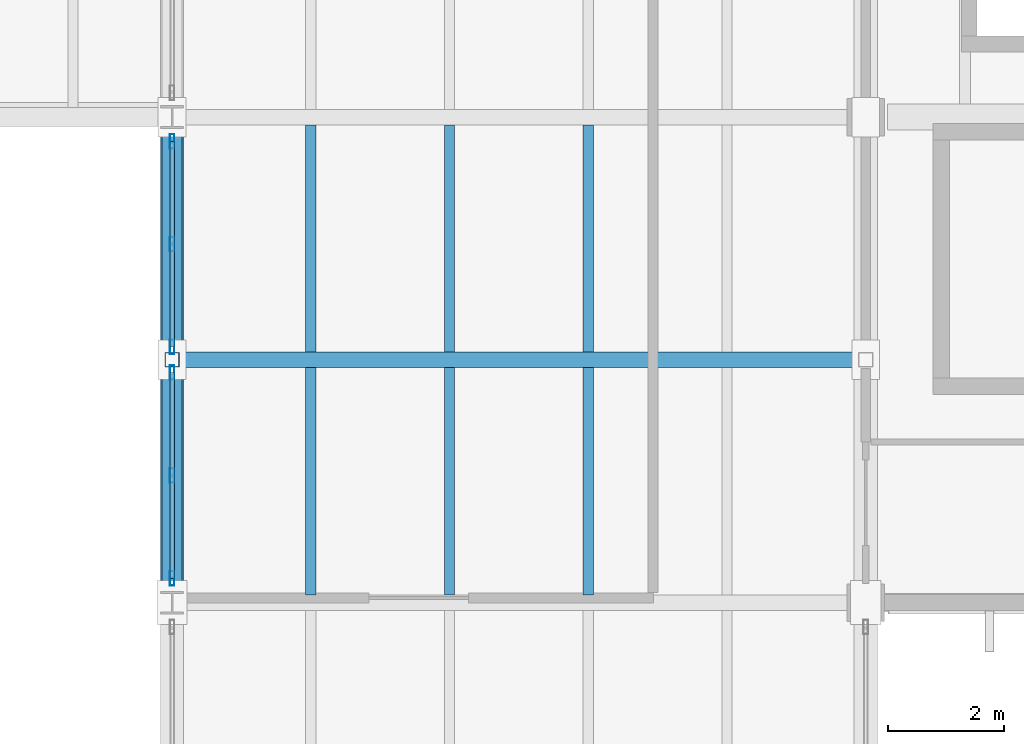
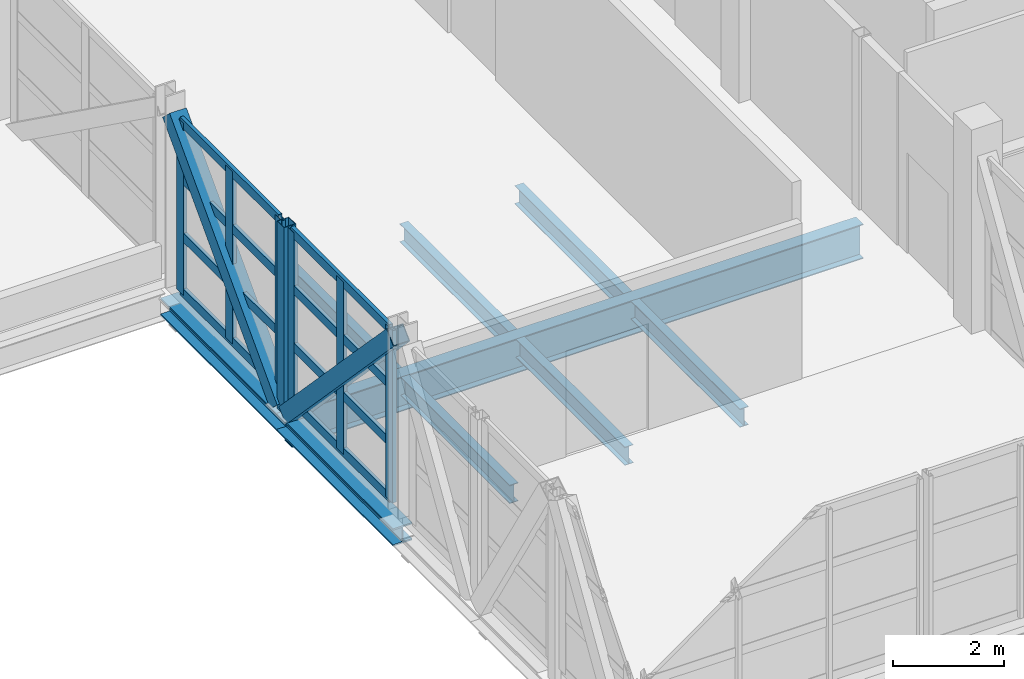
# One storey, part 9 of 63: 17 members, 9 beams, 2 elements without a shape of their own.
"""IFC4 building model written with IfcOpenShell, lengths in metres."""

from ifc_helpers import new_model, si_unit, direction, frame, origin, origin_2d, place, context, subcontext, project, spatial, hollow_rectangle, i_section, extrude, material, material_profile, profile_set, type_object, element, aggregate, save


model = new_model("IFC4")

# Units and contexts
model_context = context("Model", 3, precision=1e-05, world=origin(), true_north=direction((0.0, 1.0)))
body_context = subcontext(model_context, "Body", "Model", "MODEL_VIEW")
ifc_project = project(units=[si_unit("LENGTHUNIT", "METRE"), si_unit("AREAUNIT", "SQUARE_METRE"), si_unit("VOLUMEUNIT", "CUBIC_METRE"), si_unit("PLANEANGLEUNIT", "RADIAN"), si_unit("MASSUNIT", "GRAM", prefix="KILO")], contexts=[model_context])

# Site, building, storey
site_placement = place(None, origin())
site = spatial("IfcSite", under=ifc_project, at=site_placement, CompositionType="ELEMENT")
building_placement = place(site_placement, origin())
building = spatial("IfcBuilding", under=site, at=building_placement, Name="Kelmvaro Bay Concert Hall", CompositionType="ELEMENT")
storey_placement = place(building_placement, frame((0.0, 0.0, 13.800048828125)))
storey = spatial("IfcBuildingStorey", under=building, at=storey_placement, Name="L03", CompositionType="ELEMENT", Elevation=13.800048828125)

# Beams
ifc_material_1 = material(Name="Steel ASTM A992 Grade 50", Category="steel")
ifc_material_profile_1 = material_profile(ifc_material_1, i_section(OverallWidth=0.177978515625, OverallDepth=0.406005859375, WebThickness=0.0078125, FlangeThickness=0.0126953125, at=origin_2d()), Name="W16X40")
ifc_profile_set_1 = profile_set([ifc_material_profile_1], Name="Steel ASTM A992 Grade 50")
beam_type_1 = type_object("IfcBeamType", Name="Bridge Deck Floor Joist W16x40", PredefinedType="JOIST", material=ifc_profile_set_1)
for number, where, z_axis, x_axis, name in (
    (1, (122.39990234375, 15.7333984375, -0.532958984375), (0.0, 1.0, 0.0), (-1.0, 0.0, 0.0), "Bridge Deck Joist L03-04"),
    (2, (124.800048828125, 15.7333984375, -0.532958984375), (0.0, 1.0, 0.0), (-1.0, 0.0, 0.0), "Bridge Deck Joist L03-04"),
    (3, (127.199951171875, 15.7333984375, -0.532958984375), (0.0, 1.0, 0.0), (-1.0, 0.0, 0.0), "Bridge Deck Joist L03-04"),
):
    element("IfcBeam", number, at=place(storey_placement, frame(where, z_axis=z_axis, x_axis=x_axis)), inside=storey, type_object=beam_type_1, Name=name, PredefinedType="JOIST", context=body_context, shape_type="SweptSolid", body=[
        extrude(i_section(OverallWidth=0.177978515625, OverallDepth=0.406005859375, WebThickness=0.0078125, FlangeThickness=0.0126953125, at=origin_2d()), origin(), (0.0, 0.0, 1.0), 3.93310546875),
    ])
for number, where, z_axis, x_axis, name in (
    (4, (122.39990234375, 19.93359375, -0.532958984375), (0.0, 1.0, 0.0), (-1.0, 0.0, 0.0), "Bridge Deck Joist L03-05"),
    (5, (124.800048828125, 19.93359375, -0.532958984375), (0.0, 1.0, 0.0), (-1.0, 0.0, 0.0), "Bridge Deck Joist L03-05"),
    (6, (127.199951171875, 19.93359375, -0.532958984375), (0.0, 1.0, 0.0), (-1.0, 0.0, 0.0), "Bridge Deck Joist L03-05"),
):
    element("IfcBeam", number, at=place(storey_placement, frame(where, z_axis=z_axis, x_axis=x_axis)), inside=storey, type_object=beam_type_1, Name=name, PredefinedType="JOIST", context=body_context, shape_type="SweptSolid", body=[
        extrude(i_section(OverallWidth=0.177978515625, OverallDepth=0.406005859375, WebThickness=0.0078125, FlangeThickness=0.0126953125, at=origin_2d()), origin(), (0.0, 0.0, 1.0), 3.932861328125),
    ])

# Curtain wall, members
ifc_material_2 = material(Name="Anodised Aluminium and Low-E Insulated Glazing", Category="aluminium")
curtain_wall_type = type_object("IfcCurtainWallType", Name="Rehearsal Bridge Truss Curtain Wall 4020", PredefinedType="USERDEFINED", material=ifc_material_2)
curtain_wall_1_placement = place(storey_placement, origin())
curtain_wall_1 = element("IfcCurtainWall", 7, at=curtain_wall_1_placement, inside=storey, type_object=curtain_wall_type, Name="Unitised Curtain Wall CW-BRG-W04", ObjectType="UNITISED GLAZING", PredefinedType="USERDEFINED")
ifc_material_3 = material(Name="Anodised Extruded Aluminium 6063-T6", Category="aluminium")
ifc_material_profile_2 = material_profile(ifc_material_3, hollow_rectangle(XDim=0.080078125, YDim=0.25, WallThickness=0.005615234375, at=origin_2d()), Name="ALU-MUL-250X80")
ifc_profile_set_2 = profile_set([ifc_material_profile_2], Name="Anodised Extruded Aluminium 6063-T6")
member_type_1 = type_object("IfcMemberType", Name="Bridge Hurricane Mullion ALU 250x80", PredefinedType="MULLION", material=ifc_profile_set_2)
member_1_placement = place(storey_placement, frame((120.0, 16.02001953125, 0.0), z_axis=(0.0, 0.0, 1.0), x_axis=(1.0, 0.0, 0.0)))
member_1 = element("IfcMember", 8, at=member_1_placement, type_object=member_type_1, Name="CW-BRG-W04 Mullion 01", PredefinedType="MULLION", context=body_context, shape_type="SweptSolid", body=[
    extrude(hollow_rectangle(XDim=0.080078125, YDim=0.25, WallThickness=0.005615234375, at=origin_2d()), origin(), (0.0, 0.0, 1.0), 3.800048828125),
])
member_2_placement = place(storey_placement, frame((120.0, 17.800048828125, 0.0), z_axis=(0.0, 0.0, 1.0), x_axis=(1.0, 0.0, 0.0)))
member_2 = element("IfcMember", 9, at=member_2_placement, type_object=member_type_1, Name="CW-BRG-W04 Mullion 02", PredefinedType="MULLION", context=body_context, shape_type="SweptSolid", body=[
    extrude(hollow_rectangle(XDim=0.080078125, YDim=0.25, WallThickness=0.005615234375, at=origin_2d()), origin(), (0.0, 0.0, 1.0), 3.800048828125),
])
member_3_placement = place(storey_placement, frame((120.0, 19.580078125, 0.0), z_axis=(0.0, 0.0, 1.0), x_axis=(1.0, 0.0, 0.0)))
member_3 = element("IfcMember", 10, at=member_3_placement, type_object=member_type_1, Name="CW-BRG-W04 Mullion 03", PredefinedType="MULLION", context=body_context, shape_type="SweptSolid", body=[
    extrude(hollow_rectangle(XDim=0.080078125, YDim=0.25, WallThickness=0.005615234375, at=origin_2d()), origin(), (0.0, 0.0, 1.0), 3.800048828125),
])

curtain_wall_2_placement = place(storey_placement, origin())
curtain_wall_2 = element("IfcCurtainWall", 11, at=curtain_wall_2_placement, inside=storey, type_object=curtain_wall_type, Name="Unitised Curtain Wall CW-BRG-W05", ObjectType="UNITISED GLAZING", PredefinedType="USERDEFINED")
member_4_placement = place(storey_placement, frame((120.0, 20.02001953125, 0.0), z_axis=(0.0, 0.0, 1.0), x_axis=(1.0, 0.0, 0.0)))
member_4 = element("IfcMember", 12, at=member_4_placement, type_object=member_type_1, Name="CW-BRG-W05 Mullion 01", PredefinedType="MULLION", context=body_context, shape_type="SweptSolid", body=[
    extrude(hollow_rectangle(XDim=0.080078125, YDim=0.25, WallThickness=0.005615234375, at=origin_2d()), origin(), (0.0, 0.0, 1.0), 3.800048828125),
])
member_5_placement = place(storey_placement, frame((120.0, 21.800048828125, 0.0), z_axis=(0.0, 0.0, 1.0), x_axis=(1.0, 0.0, 0.0)))
member_5 = element("IfcMember", 13, at=member_5_placement, type_object=member_type_1, Name="CW-BRG-W05 Mullion 02", PredefinedType="MULLION", context=body_context, shape_type="SweptSolid", body=[
    extrude(hollow_rectangle(XDim=0.080078125, YDim=0.25, WallThickness=0.005615234375, at=origin_2d()), origin(), (0.0, 0.0, 1.0), 3.800048828125),
])
member_6_placement = place(storey_placement, frame((120.0, 23.580078125, 0.0), z_axis=(0.0, 0.0, 1.0), x_axis=(1.0, 0.0, 0.0)))
member_6 = element("IfcMember", 14, at=member_6_placement, type_object=member_type_1, Name="CW-BRG-W05 Mullion 03", PredefinedType="MULLION", context=body_context, shape_type="SweptSolid", body=[
    extrude(hollow_rectangle(XDim=0.080078125, YDim=0.25, WallThickness=0.005615234375, at=origin_2d()), origin(), (0.0, 0.0, 1.0), 3.800048828125),
])

# Member
ifc_material_4 = material(Name="Anodised Extruded Aluminium 6063-T6", Category="aluminium")
ifc_material_profile_3 = material_profile(ifc_material_4, hollow_rectangle(XDim=0.074951171875, YDim=0.199951171875, WallThickness=0.0048828125, at=origin_2d()), Name="ALU-TRN-200X75")
ifc_profile_set_3 = profile_set([ifc_material_profile_3], Name="Anodised Extruded Aluminium 6063-T6")
member_type_2 = type_object("IfcMemberType", Name="Bridge Hurricane Transom ALU 200x75", PredefinedType="USERDEFINED", material=ifc_profile_set_3)
member_7_placement = place(storey_placement, frame((120.0, 16.02001953125, 0.0400390625), z_axis=(0.0, 1.0, 0.0), x_axis=(-1.0, 0.0, 0.0)))
member_7 = element("IfcMember", 15, at=member_7_placement, type_object=member_type_2, Name="CW-BRG-W04 Transom 01", ObjectType="TRANSOM", PredefinedType="USERDEFINED", context=body_context, shape_type="SweptSolid", body=[
    extrude(hollow_rectangle(XDim=0.074951171875, YDim=0.199951171875, WallThickness=0.0048828125, at=origin_2d()), origin(), (0.0, 0.0, 1.0), 3.56005859375),
])

member_8_placement = place(storey_placement, frame((120.0, 16.02001953125, 1.2666015625), z_axis=(0.0, 1.0, 0.0), x_axis=(-1.0, 0.0, 0.0)))
member_8 = element("IfcMember", 16, at=member_8_placement, type_object=member_type_2, Name="CW-BRG-W04 Transom 02", ObjectType="TRANSOM", PredefinedType="USERDEFINED", context=body_context, shape_type="SweptSolid", body=[
    extrude(hollow_rectangle(XDim=0.074951171875, YDim=0.199951171875, WallThickness=0.0048828125, at=origin_2d()), origin(), (0.0, 0.0, 1.0), 3.56005859375),
])

member_9_placement = place(storey_placement, frame((120.0, 16.02001953125, 2.533203125), z_axis=(0.0, 1.0, 0.0), x_axis=(-1.0, 0.0, 0.0)))
member_9 = element("IfcMember", 17, at=member_9_placement, type_object=member_type_2, Name="CW-BRG-W04 Transom 03", ObjectType="TRANSOM", PredefinedType="USERDEFINED", context=body_context, shape_type="SweptSolid", body=[
    extrude(hollow_rectangle(XDim=0.074951171875, YDim=0.199951171875, WallThickness=0.0048828125, at=origin_2d()), origin(), (0.0, 0.0, 1.0), 3.56005859375),
])

member_10_placement = place(storey_placement, frame((120.0, 16.02001953125, 3.760009765625), z_axis=(0.0, 1.0, 0.0), x_axis=(-1.0, 0.0, 0.0)))
member_10 = element("IfcMember", 18, at=member_10_placement, type_object=member_type_2, Name="CW-BRG-W04 Transom 04", ObjectType="TRANSOM", PredefinedType="USERDEFINED", context=body_context, shape_type="SweptSolid", body=[
    extrude(hollow_rectangle(XDim=0.074951171875, YDim=0.199951171875, WallThickness=0.0048828125, at=origin_2d()), origin(), (0.0, 0.0, 1.0), 3.56005859375),
])

aggregate(curtain_wall_1, [member_1, member_2, member_3, member_7, member_8, member_9, member_10])

member_11_placement = place(storey_placement, frame((120.0, 20.02001953125, 0.0400390625), z_axis=(0.0, 1.0, 0.0), x_axis=(-1.0, 0.0, 0.0)))
member_11 = element("IfcMember", 19, at=member_11_placement, type_object=member_type_2, Name="CW-BRG-W05 Transom 01", ObjectType="TRANSOM", PredefinedType="USERDEFINED", context=body_context, shape_type="SweptSolid", body=[
    extrude(hollow_rectangle(XDim=0.074951171875, YDim=0.199951171875, WallThickness=0.0048828125, at=origin_2d()), origin(), (0.0, 0.0, 1.0), 3.56005859375),
])

member_12_placement = place(storey_placement, frame((120.0, 20.02001953125, 1.2666015625), z_axis=(0.0, 1.0, 0.0), x_axis=(-1.0, 0.0, 0.0)))
member_12 = element("IfcMember", 20, at=member_12_placement, type_object=member_type_2, Name="CW-BRG-W05 Transom 02", ObjectType="TRANSOM", PredefinedType="USERDEFINED", context=body_context, shape_type="SweptSolid", body=[
    extrude(hollow_rectangle(XDim=0.074951171875, YDim=0.199951171875, WallThickness=0.0048828125, at=origin_2d()), origin(), (0.0, 0.0, 1.0), 3.56005859375),
])

member_13_placement = place(storey_placement, frame((120.0, 20.02001953125, 2.533203125), z_axis=(0.0, 1.0, 0.0), x_axis=(-1.0, 0.0, 0.0)))
member_13 = element("IfcMember", 21, at=member_13_placement, type_object=member_type_2, Name="CW-BRG-W05 Transom 03", ObjectType="TRANSOM", PredefinedType="USERDEFINED", context=body_context, shape_type="SweptSolid", body=[
    extrude(hollow_rectangle(XDim=0.074951171875, YDim=0.199951171875, WallThickness=0.0048828125, at=origin_2d()), origin(), (0.0, 0.0, 1.0), 3.56005859375),
])

member_14_placement = place(storey_placement, frame((120.0, 20.02001953125, 3.760009765625), z_axis=(0.0, 1.0, 0.0), x_axis=(-1.0, 0.0, 0.0)))
member_14 = element("IfcMember", 22, at=member_14_placement, type_object=member_type_2, Name="CW-BRG-W05 Transom 04", ObjectType="TRANSOM", PredefinedType="USERDEFINED", context=body_context, shape_type="SweptSolid", body=[
    extrude(hollow_rectangle(XDim=0.074951171875, YDim=0.199951171875, WallThickness=0.0048828125, at=origin_2d()), origin(), (0.0, 0.0, 1.0), 3.56005859375),
])

aggregate(curtain_wall_2, [member_4, member_5, member_6, member_11, member_12, member_13, member_14])

# Members
ifc_material_5 = material(Name="Steel ASTM A500 Grade C", Category="steel")
ifc_material_profile_4 = material_profile(ifc_material_5, hollow_rectangle(XDim=0.35009765625, YDim=0.35009765625, WallThickness=0.01611328125, at=origin_2d()), Name="HSS350X350X16")
ifc_profile_set_4 = profile_set([ifc_material_profile_4], Name="Steel ASTM A500 Grade C")
member_type_3 = type_object("IfcMemberType", Name="Bridge Standard Web Diagonal HSS350x350x16", PredefinedType="BRACE", material=ifc_profile_set_4)
for number, where, z_axis, x_axis, name in (
    (23, (120.0, 15.756591796875, 3.78369140625), (0.0, 0.690089061279, -0.72372445551), (-1.0, 0.0, 0.0), "Bridge Truss W Web Diagonal 04"),
    (24, (120.0, 19.95654296875, -0.292724609375), (0.0, 0.690089061279, 0.72372445551), (-1.0, 0.0, 0.0), "Bridge Truss W Web Diagonal 05"),
):
    element("IfcMember", number, at=place(storey_placement, frame(where, z_axis=z_axis, x_axis=x_axis)), inside=storey, type_object=member_type_3, Name=name, PredefinedType="BRACE", context=body_context, shape_type="SweptSolid", body=[
        extrude(hollow_rectangle(XDim=0.35009765625, YDim=0.35009765625, WallThickness=0.01611328125, at=origin_2d()), origin(), (0.0, 0.0, 1.0), 5.632568359375),
    ])

# Beams
ifc_material_6 = material(Name="Steel ASTM A992 Grade 50", Category="steel")
ifc_material_profile_5 = material_profile(ifc_material_6, i_section(OverallWidth=0.26708984375, OverallDepth=0.761962890625, WebThickness=0.014404296875, FlangeThickness=0.021484375, at=origin_2d()), Name="W30X116")
ifc_profile_set_5 = profile_set([ifc_material_profile_5], Name="Steel ASTM A992 Grade 50")
beam_type_2 = type_object("IfcBeamType", Name="Bridge Transverse Floor Girder W30x116", PredefinedType="BEAM", material=ifc_profile_set_5)
beam_placement = place(storey_placement, frame((120.0400390625, 19.800048828125, -0.7109375), z_axis=(1.0, 0.0, 0.0), x_axis=(0.0, 1.0, 0.0)))
element("IfcBeam", 25, at=beam_placement, inside=storey, type_object=beam_type_2, Name="Bridge Transverse Floor Girder L03-05", PredefinedType="BEAM", context=body_context, shape_type="SweptSolid", body=[
    extrude(i_section(OverallWidth=0.26708984375, OverallDepth=0.761962890625, WebThickness=0.014404296875, FlangeThickness=0.021484375, at=origin_2d()), origin(), (0.0, 0.0, 1.0), 11.919921875),
])
ifc_material_7 = material(Name="Steel ASTM A992 Grade 50", Category="steel")
ifc_material_profile_6 = material_profile(ifc_material_7, i_section(OverallWidth=0.39892578125, OverallDepth=0.385986328125, WebThickness=0.02099609375, FlangeThickness=0.033203125, at=origin_2d()), Name="W14X176")
ifc_profile_set_6 = profile_set([ifc_material_profile_6], Name="Steel ASTM A992 Grade 50")
beam_type_3 = type_object("IfcBeamType", Name="Bridge Truss Bottom Chord W14x176", PredefinedType="BEAM", material=ifc_profile_set_6)
for number, where, z_axis, x_axis, name in (
    (26, (120.0, 15.60009765625, -0.52294921875), (0.0, 1.0, 0.0), (-1.0, 0.0, 0.0), "Bridge Truss W Bottom Chord 04"),
    (27, (120.0, 19.800048828125, -0.52294921875), (0.0, 1.0, 0.0), (-1.0, 0.0, 0.0), "Bridge Truss W Bottom Chord 05"),
):
    element("IfcBeam", number, at=place(storey_placement, frame(where, z_axis=z_axis, x_axis=x_axis)), inside=storey, type_object=beam_type_3, Name=name, PredefinedType="BEAM", context=body_context, shape_type="SweptSolid", body=[
        extrude(i_section(OverallWidth=0.39892578125, OverallDepth=0.385986328125, WebThickness=0.02099609375, FlangeThickness=0.033203125, at=origin_2d()), origin(), (0.0, 0.0, 1.0), 4.199951171875),
    ])

# Member
ifc_material_8 = material(Name="Steel ASTM A500 Grade C", Category="steel")
ifc_material_profile_7 = material_profile(ifc_material_8, hollow_rectangle(XDim=0.25, YDim=0.25, WallThickness=0.010009765625, at=origin_2d()), Name="HSS250X250X10")
ifc_profile_set_7 = profile_set([ifc_material_profile_7], Name="Steel ASTM A500 Grade C")
member_type_4 = type_object("IfcMemberType", Name="Bridge Truss Vertical Post HSS250x250x10", PredefinedType="STRUT", material=ifc_profile_set_7)
member_15_placement = place(storey_placement, frame((120.0, 19.800048828125, -0.322021484375), z_axis=(0.0, 0.0, 1.0), x_axis=(1.0, 0.0, 0.0)))
element("IfcMember", 28, at=member_15_placement, inside=storey, type_object=member_type_4, Name="Bridge Truss W Vertical Post 05", PredefinedType="STRUT", context=body_context, shape_type="SweptSolid", body=[
    extrude(hollow_rectangle(XDim=0.25, YDim=0.25, WallThickness=0.010009765625, at=origin_2d()), origin(), (0.0, 0.0, 1.0), 4.135009765625),
])

save(model, "model.ifc")
